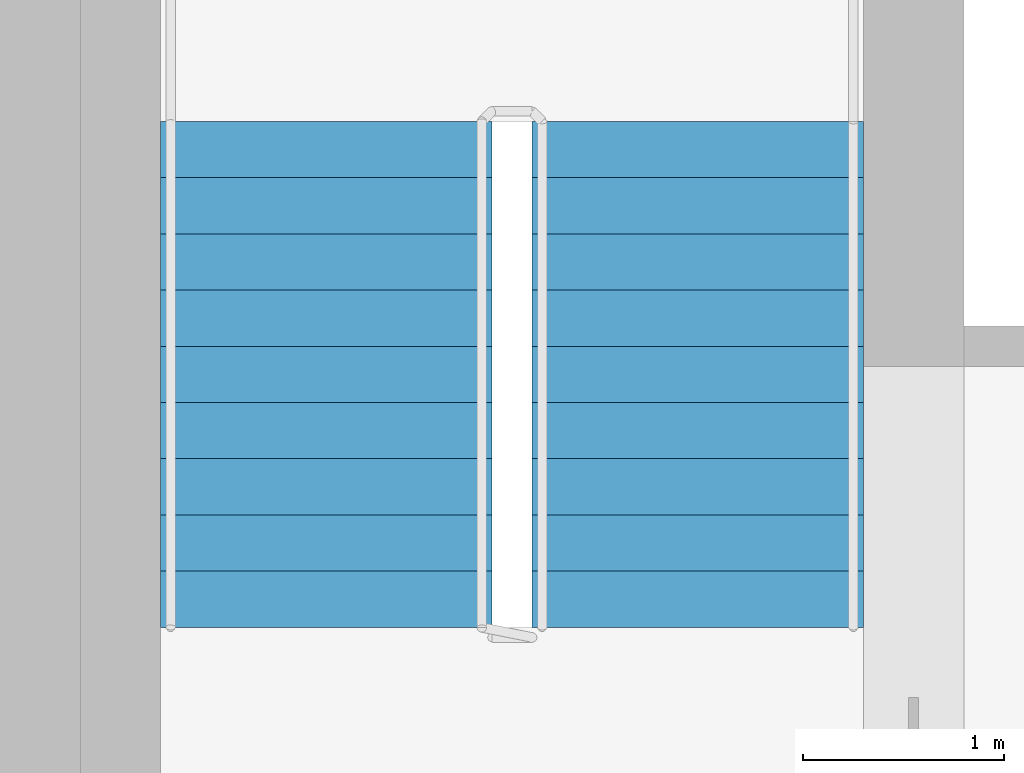
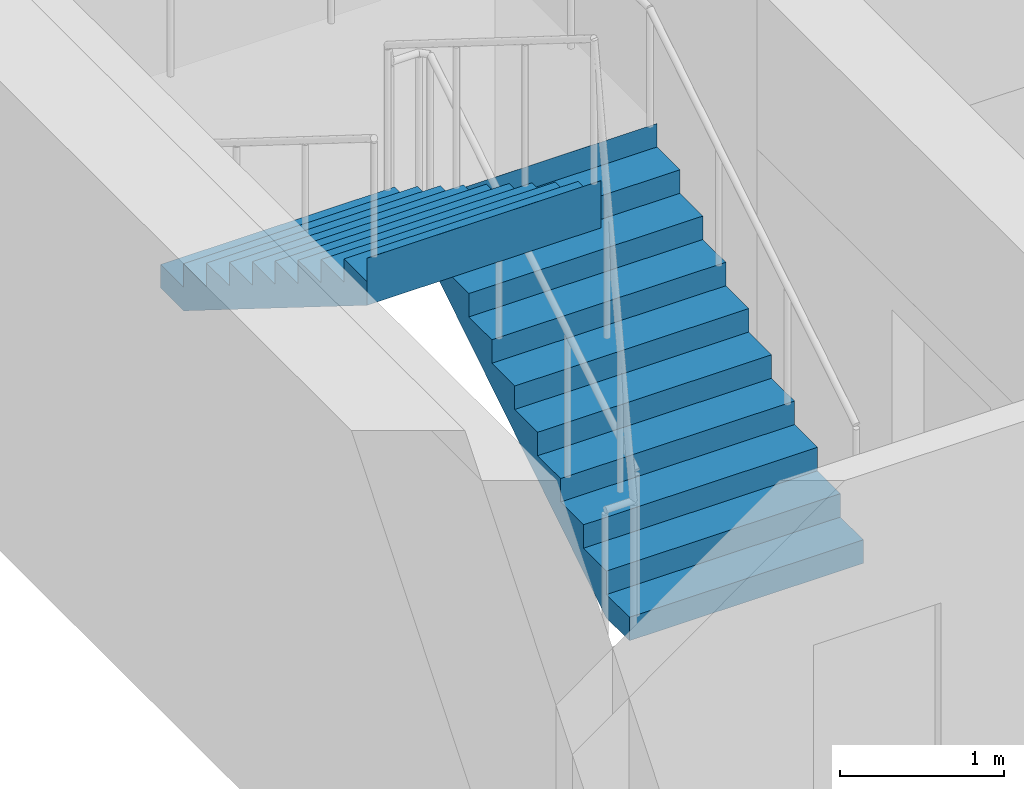
# One storey, part 9 of 10: 2 stair flights, 1 element without a shape of its own.
"""IFC4 building model written with IfcOpenShell, lengths in metres."""

from ifc_helpers import new_model, si_unit, direction, frame, origin, place, context, subcontext, project, spatial, polyline, outline, extrude, material, type_object, element, aggregate, save


model = new_model("IFC4")

# Units and contexts
model_context = context("Model", 3, precision=1e-05, world=origin(), true_north=direction((0.0, 1.0)))
body_context = subcontext(model_context, "Body", "Model", "MODEL_VIEW")
ifc_project = project(units=[si_unit("LENGTHUNIT", "METRE"), si_unit("AREAUNIT", "SQUARE_METRE"), si_unit("VOLUMEUNIT", "CUBIC_METRE"), si_unit("PLANEANGLEUNIT", "RADIAN"), si_unit("MASSUNIT", "GRAM", prefix="KILO")], contexts=[model_context])

# Site, building, storey
site_placement = place(None, origin())
site = spatial("IfcSite", under=ifc_project, at=site_placement, CompositionType="ELEMENT")
building_placement = place(site_placement, origin())
building = spatial("IfcBuilding", under=site, at=building_placement, Name="Tamorin Gate", CompositionType="ELEMENT")
storey_placement = place(building_placement, frame((0.0, 0.0, 269.699951171875)))
storey = spatial("IfcBuildingStorey", under=building, at=storey_placement, Name="L67", CompositionType="ELEMENT", Elevation=269.699951171875)

# Stair, stair flights
ifc_material = material(Name="Concrete C40/50", Category="concrete")
stair_type = type_object("IfcStairType", Name="Exit stair", PredefinedType="HALF_TURN_STAIR", material=ifc_material)
stair_placement = place(storey_placement, origin())
stair = element("IfcStair", 1, at=stair_placement, inside=storey, type_object=stair_type, Name="L67 stair ST2", PredefinedType="HALF_TURN_STAIR")
stair_flight_type = type_object("IfcStairFlightType", Name="Exit stair flight", PredefinedType="STRAIGHT", material=ifc_material)
stair_flight_1_placement = place(storey_placement, frame((33.675048828125, 77.0, 0.0), z_axis=(0.0, 0.0, 1.0), x_axis=(0.0, 1.0, 0.0)))
stair_flight_1 = element("IfcStairFlight", 2, at=stair_flight_1_placement, type_object=stair_flight_type, Name="ST2 flight 1", NumberOfRisers=10, NumberOfTreads=9, PredefinedType="STRAIGHT", RiserHeight=0.175, TreadLength=0.28, context=body_context, shape_type="SweptSolid", body=[
    extrude(outline(polyline([(-0.00048828125, 0.0), (-0.00048828125, 0.001708984375), (-0.00048828125, 0.00341796875), (-0.00048828125, 0.005126953125), (-0.00048828125, 0.0068359375), (-0.00048828125, 0.008544921875), (-0.00048828125, 0.010498046875), (-0.00048828125, 0.01220703125), (-0.00048828125, 0.013916015625), (-0.00048828125, 0.015625), (-0.00048828125, 0.017333984375), (-0.00048828125, 0.01904296875), (-0.00048828125, 0.020751953125), (-0.00048828125, 0.0224609375), (-0.00048828125, 0.024169921875), (-0.00048828125, 0.02587890625), (-0.00048828125, 0.02783203125), (-0.00048828125, 0.029541015625), (-0.00048828125, 0.03125), (-0.00048828125, 0.032958984375), (-0.00048828125, 0.03466796875), (-0.00048828125, 0.036376953125), (-0.00048828125, 0.0380859375), (-0.00048828125, 0.039794921875), (-0.00048828125, 0.04150390625), (-0.00048828125, 0.043212890625), (-0.00048828125, 0.045166015625), (-0.00048828125, 0.046875), (-0.00048828125, 0.048583984375), (-0.00048828125, 0.05029296875), (-0.00048828125, 0.052001953125), (-0.00048828125, 0.0537109375), (-0.00048828125, 0.055419921875), (-0.00048828125, 0.05712890625), (-0.00048828125, 0.058837890625), (-0.00048828125, 0.060546875), (-0.00048828125, 0.062255859375), (-0.00048828125, 0.064208984375), (-0.00048828125, 0.06591796875), (-0.00048828125, 0.067626953125), (-0.00048828125, 0.0693359375), (-0.00048828125, 0.071044921875), (-0.00048828125, 0.07275390625), (-0.00048828125, 0.074462890625), (-0.00048828125, 0.076171875), (-0.00048828125, 0.077880859375), (-0.00048828125, 0.07958984375), (-0.00048828125, 0.08154296875), (-0.00048828125, 0.083251953125), (-0.00048828125, 0.0849609375), (-0.00048828125, 0.086669921875), (-0.00048828125, 0.08837890625), (-0.00048828125, 0.090087890625), (-0.00048828125, 0.091796875), (-0.00048828125, 0.093505859375), (-0.00048828125, 0.09521484375), (-0.00048828125, 0.096923828125), (-0.00048828125, 0.098876953125), (-0.00048828125, 0.1005859375), (-0.00048828125, 0.102294921875), (-0.00048828125, 0.10400390625), (-0.00048828125, 0.105712890625), (-0.00048828125, 0.107421875), (-0.00048828125, 0.109130859375), (-0.00048828125, 0.11083984375), (-0.00048828125, 0.112548828125), (-0.00048828125, 0.1142578125), (-0.00048828125, 0.1162109375), (-0.00048828125, 0.117919921875), (-0.00048828125, 0.11962890625), (-0.00048828125, 0.121337890625), (-0.00048828125, 0.123046875), (-0.00048828125, 0.124755859375), (-0.00048828125, 0.12646484375), (-0.00048828125, 0.128173828125), (-0.00048828125, 0.1298828125), (-0.00048828125, 0.131591796875), (-0.00048828125, 0.13330078125), (-0.00048828125, 0.13525390625), (-0.00048828125, 0.136962890625), (-0.00048828125, 0.138671875), (-0.00048828125, 0.140380859375), (-0.00048828125, 0.14208984375), (-0.00048828125, 0.143798828125), (-0.00048828125, 0.1455078125), (-0.00048828125, 0.147216796875), (-0.00048828125, 0.14892578125), (-0.00048828125, 0.150634765625), (-0.00048828125, 0.152587890625), (-0.00048828125, 0.154296875), (-0.00048828125, 0.156005859375), (-0.00048828125, 0.15771484375), (-0.00048828125, 0.159423828125), (-0.00048828125, 0.1611328125), (-0.00048828125, 0.162841796875), (-0.00048828125, 0.16455078125), (-0.00048828125, 0.166259765625), (-0.00048828125, 0.16796875), (-0.00048828125, 0.169921875), (-0.00048828125, 0.171630859375), (-0.00048828125, 0.17333984375), (-0.00048828125, 0.175048828125), (0.280029296875, 0.175048828125), (0.280029296875, 0.35009765625), (0.56005859375, 0.35009765625), (0.56005859375, 0.52490234375), (0.840087890625, 0.52490234375), (0.840087890625, 0.699951171875), (1.1201171875, 0.699951171875), (1.1201171875, 0.875), (1.39990234375, 0.875), (1.39990234375, 1.050048828125), (1.679931640625, 1.050048828125), (1.679931640625, 1.22509765625), (1.9599609375, 1.22509765625), (1.9599609375, 1.39990234375), (2.239990234375, 1.39990234375), (2.239990234375, 1.574951171875), (2.52001953125, 1.574951171875), (2.52001953125, 1.75), (2.5205078125, 1.75), (2.5205078125, 1.74658203125), (2.5205078125, 1.742919921875), (2.5205078125, 1.739501953125), (2.5205078125, 1.736083984375), (2.5205078125, 1.732666015625), (2.5205078125, 1.72900390625), (2.5205078125, 1.7255859375), (2.5205078125, 1.72216796875), (2.5205078125, 1.71875), (2.5205078125, 1.715087890625), (2.5205078125, 1.711669921875), (2.5205078125, 1.708251953125), (2.5205078125, 1.704833984375), (2.5205078125, 1.701171875), (2.5205078125, 1.69775390625), (2.5205078125, 1.6943359375), (2.5205078125, 1.690673828125), (2.5205078125, 1.687255859375), (2.5205078125, 1.683837890625), (2.5205078125, 1.680419921875), (2.5205078125, 1.6767578125), (2.5205078125, 1.67333984375), (2.5205078125, 1.669921875), (2.5205078125, 1.66650390625), (2.5205078125, 1.662841796875), (2.5205078125, 1.659423828125), (2.5205078125, 1.656005859375), (2.5205078125, 1.652587890625), (2.5205078125, 1.64892578125), (2.5205078125, 1.6455078125), (2.5205078125, 1.64208984375), (2.5205078125, 1.638427734375), (2.5205078125, 1.635009765625), (2.5205078125, 1.631591796875), (2.5205078125, 1.628173828125), (2.5205078125, 1.62451171875), (2.5205078125, 1.62109375), (2.5205078125, 1.61767578125), (2.5205078125, 1.6142578125), (2.5205078125, 1.610595703125), (2.5205078125, 1.607177734375), (2.5205078125, 1.603759765625), (2.5205078125, 1.600341796875), (2.5205078125, 1.5966796875), (2.5205078125, 1.59326171875), (2.5205078125, 1.58984375), (2.5205078125, 1.58642578125), (2.5205078125, 1.582763671875), (2.5205078125, 1.579345703125), (2.5205078125, 1.575927734375), (2.5205078125, 1.572265625), (2.5205078125, 1.56884765625), (2.5205078125, 1.5654296875), (2.5205078125, 1.56201171875), (2.5205078125, 1.558349609375), (2.5205078125, 1.554931640625), (2.5205078125, 1.551513671875), (2.5205078125, 1.548095703125), (2.5205078125, 1.54443359375), (2.5205078125, 1.541015625), (2.5205078125, 1.53759765625), (2.5205078125, 1.5341796875), (2.5205078125, 1.530517578125), (2.5205078125, 1.527099609375), (2.5205078125, 1.523681640625), (2.5205078125, 1.52001953125), (2.5205078125, 1.5166015625), (2.5205078125, 1.51318359375), (2.5205078125, 1.509765625), (2.5205078125, 1.506103515625), (2.5205078125, 1.502685546875), (2.5205078125, 1.499267578125), (2.5205078125, 1.495849609375), (2.5205078125, 1.4921875), (2.5205078125, 1.48876953125), (2.5205078125, 1.4853515625), (2.5205078125, 1.48193359375), (2.5205078125, 1.478271484375), (2.5205078125, 1.474853515625), (2.5205078125, 1.471435546875), (2.5205078125, 1.4677734375), (2.5205078125, 1.46435546875), (2.5205078125, 1.4609375), (2.5205078125, 1.45751953125), (2.5205078125, 1.453857421875), (2.5205078125, 1.450439453125), (2.5205078125, 1.447021484375), (2.5205078125, 1.443603515625), (2.5205078125, 1.43994140625), (2.5205078125, 1.4365234375), (2.5205078125, 1.43310546875), (2.5205078125, 1.4296875), (2.5205078125, 1.426025390625), (2.5205078125, 1.422607421875), (2.5205078125, 1.419189453125), (2.5205078125, 1.41552734375), (2.5205078125, 1.412109375), (2.5205078125, 1.40869140625), (2.5205078125, 1.4052734375), (2.5205078125, 1.401611328125), (2.5205078125, 1.398193359375), (2.52001953125, 1.398193359375), (0.28271484375, 0.0), (-0.00048828125, 0.0)])), frame((0.0, 0.824951171875, 0.0), z_axis=(0.0, -1.0, 0.0), x_axis=(1.0, 0.0, 0.0)), (0.0, 0.0, 1.0), 1.64990234375),
])
stair_flight_2_placement = place(storey_placement, frame((31.824951171875, 79.52001953125, 1.75), z_axis=(0.0, 0.0, 1.0), x_axis=(0.0, -1.0, 0.0)))
stair_flight_2 = element("IfcStairFlight", 3, at=stair_flight_2_placement, type_object=stair_flight_type, Name="ST2 flight 2", NumberOfRisers=10, NumberOfTreads=9, PredefinedType="STRAIGHT", RiserHeight=0.175, TreadLength=0.28, context=body_context, shape_type="SweptSolid", body=[
    extrude(outline(polyline([(-0.00048828125, 0.0), (-0.00048828125, 0.001708984375), (-0.00048828125, 0.00341796875), (-0.00048828125, 0.005126953125), (-0.00048828125, 0.0068359375), (-0.00048828125, 0.008544921875), (-0.00048828125, 0.010498046875), (-0.00048828125, 0.01220703125), (-0.00048828125, 0.013916015625), (-0.00048828125, 0.015625), (-0.00048828125, 0.017333984375), (-0.00048828125, 0.01904296875), (-0.00048828125, 0.020751953125), (-0.00048828125, 0.0224609375), (-0.00048828125, 0.024169921875), (-0.00048828125, 0.02587890625), (-0.00048828125, 0.02783203125), (-0.00048828125, 0.029541015625), (-0.00048828125, 0.03125), (-0.00048828125, 0.032958984375), (-0.00048828125, 0.03466796875), (-0.00048828125, 0.036376953125), (-0.00048828125, 0.0380859375), (-0.00048828125, 0.039794921875), (-0.00048828125, 0.04150390625), (-0.00048828125, 0.043212890625), (-0.00048828125, 0.045166015625), (-0.00048828125, 0.046875), (-0.00048828125, 0.048583984375), (-0.00048828125, 0.05029296875), (-0.00048828125, 0.052001953125), (-0.00048828125, 0.0537109375), (-0.00048828125, 0.055419921875), (-0.00048828125, 0.05712890625), (-0.00048828125, 0.058837890625), (-0.00048828125, 0.060546875), (-0.00048828125, 0.062255859375), (-0.00048828125, 0.064208984375), (-0.00048828125, 0.06591796875), (-0.00048828125, 0.067626953125), (-0.00048828125, 0.0693359375), (-0.00048828125, 0.071044921875), (-0.00048828125, 0.07275390625), (-0.00048828125, 0.074462890625), (-0.00048828125, 0.076171875), (-0.00048828125, 0.077880859375), (-0.00048828125, 0.07958984375), (-0.00048828125, 0.08154296875), (-0.00048828125, 0.083251953125), (-0.00048828125, 0.0849609375), (-0.00048828125, 0.086669921875), (-0.00048828125, 0.08837890625), (-0.00048828125, 0.090087890625), (-0.00048828125, 0.091796875), (-0.00048828125, 0.093505859375), (-0.00048828125, 0.09521484375), (-0.00048828125, 0.096923828125), (-0.00048828125, 0.098876953125), (-0.00048828125, 0.1005859375), (-0.00048828125, 0.102294921875), (-0.00048828125, 0.10400390625), (-0.00048828125, 0.105712890625), (-0.00048828125, 0.107421875), (-0.00048828125, 0.109130859375), (-0.00048828125, 0.11083984375), (-0.00048828125, 0.112548828125), (-0.00048828125, 0.1142578125), (-0.00048828125, 0.1162109375), (-0.00048828125, 0.117919921875), (-0.00048828125, 0.11962890625), (-0.00048828125, 0.121337890625), (-0.00048828125, 0.123046875), (-0.00048828125, 0.124755859375), (-0.00048828125, 0.12646484375), (-0.00048828125, 0.128173828125), (-0.00048828125, 0.1298828125), (-0.00048828125, 0.131591796875), (-0.00048828125, 0.13330078125), (-0.00048828125, 0.13525390625), (-0.00048828125, 0.136962890625), (-0.00048828125, 0.138671875), (-0.00048828125, 0.140380859375), (-0.00048828125, 0.14208984375), (-0.00048828125, 0.143798828125), (-0.00048828125, 0.1455078125), (-0.00048828125, 0.147216796875), (-0.00048828125, 0.14892578125), (-0.00048828125, 0.150634765625), (-0.00048828125, 0.152587890625), (-0.00048828125, 0.154296875), (-0.00048828125, 0.156005859375), (-0.00048828125, 0.15771484375), (-0.00048828125, 0.159423828125), (-0.00048828125, 0.1611328125), (-0.00048828125, 0.162841796875), (-0.00048828125, 0.16455078125), (-0.00048828125, 0.166259765625), (-0.00048828125, 0.16796875), (-0.00048828125, 0.169921875), (-0.00048828125, 0.171630859375), (-0.00048828125, 0.17333984375), (-0.00048828125, 0.175048828125), (0.280029296875, 0.175048828125), (0.280029296875, 0.35009765625), (0.56005859375, 0.35009765625), (0.56005859375, 0.52490234375), (0.840087890625, 0.52490234375), (0.840087890625, 0.699951171875), (1.1201171875, 0.699951171875), (1.1201171875, 0.875), (1.39990234375, 0.875), (1.39990234375, 1.050048828125), (1.679931640625, 1.050048828125), (1.679931640625, 1.22509765625), (1.9599609375, 1.22509765625), (1.9599609375, 1.39990234375), (2.239990234375, 1.39990234375), (2.239990234375, 1.574951171875), (2.52001953125, 1.574951171875), (2.52001953125, 1.75), (2.5205078125, 1.75), (2.5205078125, 1.74658203125), (2.5205078125, 1.742919921875), (2.5205078125, 1.739501953125), (2.5205078125, 1.736083984375), (2.5205078125, 1.732666015625), (2.5205078125, 1.72900390625), (2.5205078125, 1.7255859375), (2.5205078125, 1.72216796875), (2.5205078125, 1.71875), (2.5205078125, 1.715087890625), (2.5205078125, 1.711669921875), (2.5205078125, 1.708251953125), (2.5205078125, 1.704833984375), (2.5205078125, 1.701171875), (2.5205078125, 1.69775390625), (2.5205078125, 1.6943359375), (2.5205078125, 1.690673828125), (2.5205078125, 1.687255859375), (2.5205078125, 1.683837890625), (2.5205078125, 1.680419921875), (2.5205078125, 1.6767578125), (2.5205078125, 1.67333984375), (2.5205078125, 1.669921875), (2.5205078125, 1.66650390625), (2.5205078125, 1.662841796875), (2.5205078125, 1.659423828125), (2.5205078125, 1.656005859375), (2.5205078125, 1.652587890625), (2.5205078125, 1.64892578125), (2.5205078125, 1.6455078125), (2.5205078125, 1.64208984375), (2.5205078125, 1.638427734375), (2.5205078125, 1.635009765625), (2.5205078125, 1.631591796875), (2.5205078125, 1.628173828125), (2.5205078125, 1.62451171875), (2.5205078125, 1.62109375), (2.5205078125, 1.61767578125), (2.5205078125, 1.6142578125), (2.5205078125, 1.610595703125), (2.5205078125, 1.607177734375), (2.5205078125, 1.603759765625), (2.5205078125, 1.600341796875), (2.5205078125, 1.5966796875), (2.5205078125, 1.59326171875), (2.5205078125, 1.58984375), (2.5205078125, 1.58642578125), (2.5205078125, 1.582763671875), (2.5205078125, 1.579345703125), (2.5205078125, 1.575927734375), (2.5205078125, 1.572265625), (2.5205078125, 1.56884765625), (2.5205078125, 1.5654296875), (2.5205078125, 1.56201171875), (2.5205078125, 1.558349609375), (2.5205078125, 1.554931640625), (2.5205078125, 1.551513671875), (2.5205078125, 1.548095703125), (2.5205078125, 1.54443359375), (2.5205078125, 1.541015625), (2.5205078125, 1.53759765625), (2.5205078125, 1.5341796875), (2.5205078125, 1.530517578125), (2.5205078125, 1.527099609375), (2.5205078125, 1.523681640625), (2.5205078125, 1.52001953125), (2.5205078125, 1.5166015625), (2.5205078125, 1.51318359375), (2.5205078125, 1.509765625), (2.5205078125, 1.506103515625), (2.5205078125, 1.502685546875), (2.5205078125, 1.499267578125), (2.5205078125, 1.495849609375), (2.5205078125, 1.4921875), (2.5205078125, 1.48876953125), (2.5205078125, 1.4853515625), (2.5205078125, 1.48193359375), (2.5205078125, 1.478271484375), (2.5205078125, 1.474853515625), (2.5205078125, 1.471435546875), (2.5205078125, 1.4677734375), (2.5205078125, 1.46435546875), (2.5205078125, 1.4609375), (2.5205078125, 1.45751953125), (2.5205078125, 1.453857421875), (2.5205078125, 1.450439453125), (2.5205078125, 1.447021484375), (2.5205078125, 1.443603515625), (2.5205078125, 1.43994140625), (2.5205078125, 1.4365234375), (2.5205078125, 1.43310546875), (2.5205078125, 1.4296875), (2.5205078125, 1.426025390625), (2.5205078125, 1.422607421875), (2.5205078125, 1.419189453125), (2.5205078125, 1.41552734375), (2.5205078125, 1.412109375), (2.5205078125, 1.40869140625), (2.5205078125, 1.4052734375), (2.5205078125, 1.401611328125), (2.5205078125, 1.398193359375), (2.52001953125, 1.398193359375), (0.28271484375, 0.0), (-0.00048828125, 0.0)])), frame((0.0, 0.824951171875, 0.0), z_axis=(0.0, -1.0, 0.0), x_axis=(1.0, 0.0, 0.0)), (0.0, 0.0, 1.0), 1.64990234375),
])
aggregate(stair, [stair_flight_1, stair_flight_2])

save(model, "model.ifc")
